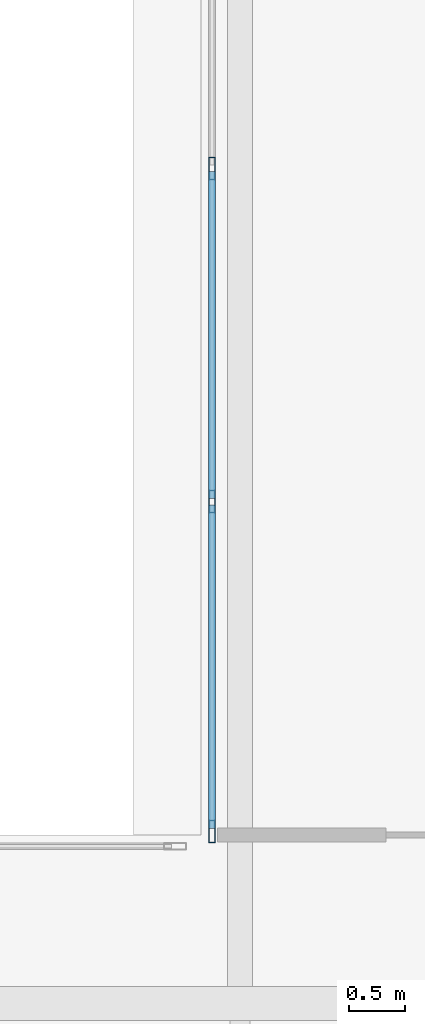
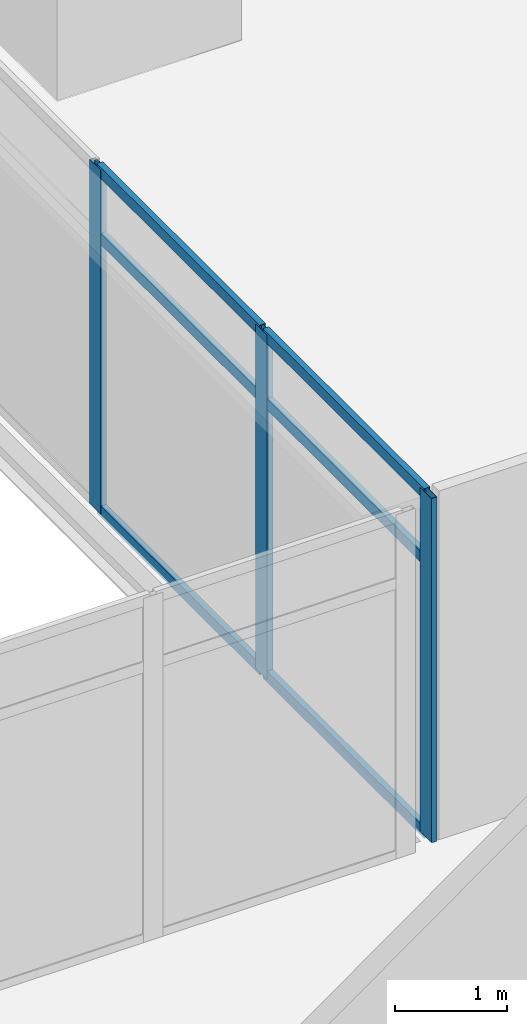
# One storey, part 24 of 40: 9 members, 1 element without a shape of its own.
"""IFC4 building model written with IfcOpenShell, lengths in metres."""

from ifc_helpers import new_model, si_unit, direction, frame, origin, origin_2d, place, context, subcontext, project, spatial, hollow_rectangle, extrude, source, transform, mapped, material, material_profile, profile_set, type_object, element, aggregate, save


model = new_model("IFC4")

# Units and contexts
model_context = context("Model", 3, precision=1e-05, world=origin(), true_north=direction((0.0, 1.0)))
body_context = subcontext(model_context, "Body", "Model", "MODEL_VIEW")
ifc_project = project(units=[si_unit("LENGTHUNIT", "METRE"), si_unit("AREAUNIT", "SQUARE_METRE"), si_unit("VOLUMEUNIT", "CUBIC_METRE"), si_unit("PLANEANGLEUNIT", "RADIAN"), si_unit("MASSUNIT", "GRAM", prefix="KILO")], contexts=[model_context])

# Site, building, storey
site_placement = place(None, origin())
site = spatial("IfcSite", under=ifc_project, at=site_placement, CompositionType="ELEMENT")
building_placement = place(site_placement, origin())
building = spatial("IfcBuilding", under=site, at=building_placement, Name="Khomas Fold Tower", CompositionType="ELEMENT")
storey_placement = place(building_placement, frame((0.0, 0.0, 180.699951171875)))
storey = spatial("IfcBuildingStorey", under=building, at=storey_placement, Name="L39", CompositionType="ELEMENT", Elevation=180.699951171875)

# Curtain wall, members
ifc_material_1 = material(Name="Aluminium framed double glazing", Category="aluminium")
curtain_wall_type = type_object("IfcCurtainWallType", Name="Notch glazing GN-CW", PredefinedType="NOTDEFINED", material=ifc_material_1)
curtain_wall_placement = place(storey_placement, origin())
curtain_wall = element("IfcCurtainWall", 1, at=curtain_wall_placement, inside=storey, type_object=curtain_wall_type, Name="Notch glazing run", PredefinedType="NOTDEFINED")
ifc_material_2 = material(Name="Aluminium", Category="aluminium")
ifc_material_profile_1 = material_profile(ifc_material_2, hollow_rectangle(XDim=0.06005859375, YDim=0.1201171875, WallThickness=0.00390625, at=origin_2d()), Name="Notch glazing transom GN-CW-T")
ifc_profile_set_1 = profile_set([ifc_material_profile_1], Name="Aluminium")
member_type_1 = type_object("IfcMemberType", Name="Notch glazing transom GN-CW-T", PredefinedType="USERDEFINED", material=ifc_profile_set_1)
shared_shape_1 = source(origin(), body_context, "Body", "SweptSolid", [
    extrude(hollow_rectangle(XDim=0.06005859375, YDim=0.1201171875, WallThickness=0.00390625, at=origin_2d()), origin(), (0.0, 0.0, 1.0), 2.876708984375),
])
member_1_placement = place(storey_placement, frame((41.75, 35.936767578125, 0.030029296875), z_axis=(0.0, -1.0, 0.0), x_axis=(1.0, 0.0, 0.0)))
member_1 = element("IfcMember", 2, at=member_1_placement, type_object=member_type_1, Name="GN-CW transom 6.1", ObjectType="TRANSOM", PredefinedType="USERDEFINED", context=body_context, shape_type="MappedRepresentation", body=[
    mapped(shared_shape_1, transform((0.0, 0.0, 0.0))),
])
member_2_placement = place(storey_placement, frame((41.75, 35.936767578125, 3.0), z_axis=(0.0, -1.0, 0.0), x_axis=(1.0, 0.0, 0.0)))
member_2 = element("IfcMember", 3, at=member_2_placement, type_object=member_type_1, Name="GN-CW transom 6.2", ObjectType="TRANSOM", PredefinedType="USERDEFINED", context=body_context, shape_type="MappedRepresentation", body=[
    mapped(shared_shape_1, transform((0.0, 0.0, 0.0))),
])
member_3_placement = place(storey_placement, frame((41.75, 35.936767578125, 3.719970703125), z_axis=(0.0, -1.0, 0.0), x_axis=(1.0, 0.0, 0.0)))
member_3 = element("IfcMember", 4, at=member_3_placement, type_object=member_type_1, Name="GN-CW transom 6.3", ObjectType="TRANSOM", PredefinedType="USERDEFINED", context=body_context, shape_type="MappedRepresentation", body=[
    mapped(shared_shape_1, transform((0.0, 0.0, 0.0))),
])
shared_shape_2 = source(origin(), body_context, "Body", "SweptSolid", [
    extrude(hollow_rectangle(XDim=0.06005859375, YDim=0.1201171875, WallThickness=0.00390625, at=origin_2d()), origin(), (0.0, 0.0, 1.0), 2.90673828125),
])
member_4_placement = place(storey_placement, frame((41.75, 38.9033203125, 0.030029296875), z_axis=(0.0, -1.0, 0.0), x_axis=(1.0, 0.0, 0.0)))
member_4 = element("IfcMember", 5, at=member_4_placement, type_object=member_type_1, Name="GN-CW transom 5.1", ObjectType="TRANSOM", PredefinedType="USERDEFINED", context=body_context, shape_type="MappedRepresentation", body=[
    mapped(shared_shape_2, transform((0.0, 0.0, 0.0))),
])
member_5_placement = place(storey_placement, frame((41.75, 38.9033203125, 3.0), z_axis=(0.0, -1.0, 0.0), x_axis=(1.0, 0.0, 0.0)))
member_5 = element("IfcMember", 6, at=member_5_placement, type_object=member_type_1, Name="GN-CW transom 5.2", ObjectType="TRANSOM", PredefinedType="USERDEFINED", context=body_context, shape_type="MappedRepresentation", body=[
    mapped(shared_shape_2, transform((0.0, 0.0, 0.0))),
])
member_6_placement = place(storey_placement, frame((41.75, 38.9033203125, 3.719970703125), z_axis=(0.0, -1.0, 0.0), x_axis=(1.0, 0.0, 0.0)))
member_6 = element("IfcMember", 7, at=member_6_placement, type_object=member_type_1, Name="GN-CW transom 5.3", ObjectType="TRANSOM", PredefinedType="USERDEFINED", context=body_context, shape_type="MappedRepresentation", body=[
    mapped(shared_shape_2, transform((0.0, 0.0, 0.0))),
])
ifc_material_3 = material(Name="Aluminium", Category="aluminium")
ifc_material_profile_2 = material_profile(ifc_material_3, hollow_rectangle(XDim=0.06005859375, YDim=0.199951171875, WallThickness=0.00390625, at=origin_2d()), Name="Notch glazing mullion GN-CW-M")
ifc_profile_set_2 = profile_set([ifc_material_profile_2], Name="Aluminium")
member_type_2 = type_object("IfcMemberType", Name="Notch glazing mullion GN-CW-M", PredefinedType="MULLION", material=ifc_profile_set_2)
shared_shape_3 = source(origin(), body_context, "Body", "SweptSolid", [
    extrude(hollow_rectangle(XDim=0.06005859375, YDim=0.199951171875, WallThickness=0.00390625, at=origin_2d()), origin(), (0.0, 0.0, 1.0), 3.75),
])
member_7_placement = place(storey_placement, frame((41.75, 38.933349609375, 0.0), z_axis=(0.0, 0.0, 1.0), x_axis=(1.0, 0.0, 0.0)))
member_7 = element("IfcMember", 8, at=member_7_placement, type_object=member_type_2, Name="GN-CW mullion 5", PredefinedType="MULLION", context=body_context, shape_type="MappedRepresentation", body=[
    mapped(shared_shape_3, transform((0.0, 0.0, 0.0))),
])
member_8_placement = place(storey_placement, frame((41.75, 35.966552734375, 0.0), z_axis=(0.0, 0.0, 1.0), x_axis=(1.0, 0.0, 0.0)))
member_8 = element("IfcMember", 9, at=member_8_placement, type_object=member_type_2, Name="GN-CW mullion 6", PredefinedType="MULLION", context=body_context, shape_type="MappedRepresentation", body=[
    mapped(shared_shape_3, transform((0.0, 0.0, 0.0))),
])
member_9_placement = place(storey_placement, frame((41.75, 33.030029296875, 0.0), z_axis=(0.0, 0.0, 1.0), x_axis=(1.0, 0.0, 0.0)))
member_9 = element("IfcMember", 10, at=member_9_placement, type_object=member_type_2, Name="GN-CW mullion 7", PredefinedType="MULLION", context=body_context, shape_type="MappedRepresentation", body=[
    mapped(shared_shape_3, transform((0.0, 0.0, 0.0))),
])
aggregate(curtain_wall, [member_7, member_8, member_9, member_4, member_5, member_6, member_1, member_2, member_3])

save(model, "model.ifc")
